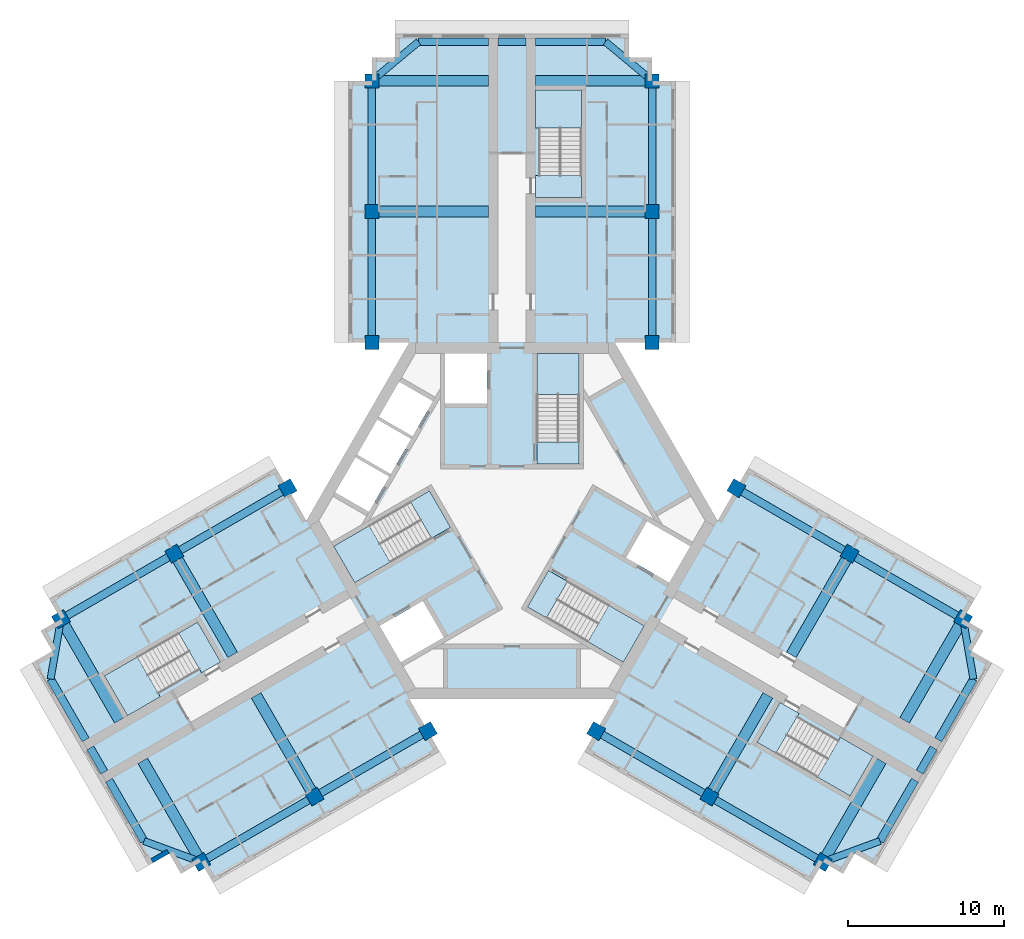
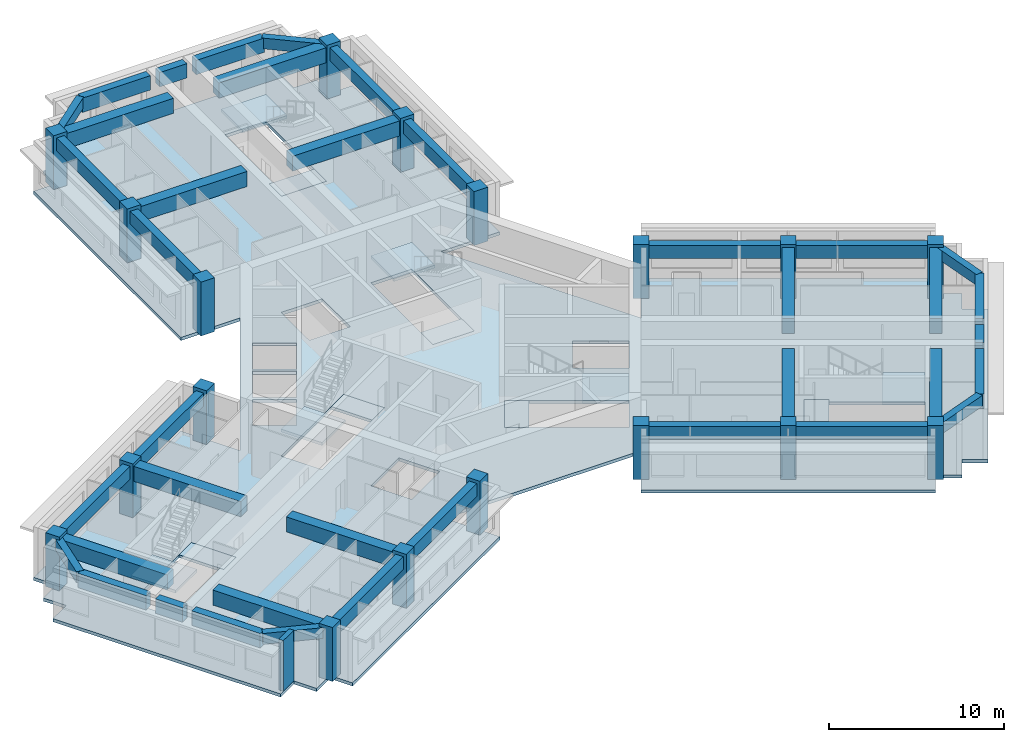
# One storey, part 1 of 10: 39 beams, 18 columns, 13 slabs, 1 wall, 6 elements without a shape of their own.
"""IFC4 building model written with IfcOpenShell, lengths in metres."""

from ifc_helpers import new_model, si_unit, direction, frame, frame_2d, origin, origin_2d, place, context, subcontext, project, spatial, polyline, rectangle, outline, extrude, material, layer, layer_set, material_profile, profile_set, type_object, element, aggregate, save


model = new_model("IFC4")

# Units and contexts
model_context = context("Model", 3, precision=1e-05, world=origin(), true_north=direction((0.0, 1.0)))
body_context = subcontext(model_context, "Body", "Model", "MODEL_VIEW")
ifc_project = project(units=[si_unit("LENGTHUNIT", "METRE"), si_unit("AREAUNIT", "SQUARE_METRE"), si_unit("VOLUMEUNIT", "CUBIC_METRE"), si_unit("PLANEANGLEUNIT", "RADIAN"), si_unit("MASSUNIT", "GRAM", prefix="KILO")], contexts=[model_context])

# Site, building, storey
site_placement = place(None, origin())
site = spatial("IfcSite", under=ifc_project, at=site_placement, CompositionType="ELEMENT")
building_placement = place(site_placement, origin())
building = spatial("IfcBuilding", under=site, at=building_placement, Name="Impinga Residences", CompositionType="ELEMENT")
storey_placement = place(building_placement, frame((0.0, 0.0, 259.75)))
storey = spatial("IfcBuildingStorey", under=building, at=storey_placement, Name="L65", CompositionType="ELEMENT", Elevation=259.75)

# Columns
ifc_material_1 = material(Name="Concrete C60/75", Category="concrete")
ifc_material_profile_1 = material_profile(ifc_material_1, rectangle(XDim=0.89990234375, YDim=0.89990234375, at=origin_2d()), Name="RC 900x900")
ifc_profile_set_1 = profile_set([ifc_material_profile_1], Name="Concrete C60/75")
column_type = type_object("IfcColumnType", Name="C4 900x900 column", PredefinedType="COLUMN", material=ifc_profile_set_1)
for number, where, z_axis, x_axis, name in (
    (1, (-9.0, 11.431640625, 0.0), (0.0, 0.0, 1.0), (1.0, 0.0, 0.0), "Column C4 N1/NA L65"),
    (2, (9.0, 11.431640625, 0.0), (0.0, 0.0, 1.0), (1.0, 0.0, 0.0), "Column C4 N1/NF L65"),
    (3, (-9.0, 19.83154296875, 0.0), (0.0, 0.0, 1.0), (1.0, 0.0, 0.0), "Column C4 N2/NA L65"),
    (4, (9.0, 19.83154296875, 0.0), (0.0, 0.0, 1.0), (1.0, 0.0, 0.0), "Column C4 N2/NF L65"),
    (5, (-9.0, 28.2314453125, 0.0), (0.0, 0.0, 1.0), (1.0, 0.0, 0.0), "Column C4 N3/NA L65"),
    (6, (9.0, 28.2314453125, 0.0), (0.0, 0.0, 1.0), (1.0, 0.0, 0.0), "Column C4 N3/NF L65"),
    (7, (-5.39990234375, -13.510009765625, 0.0), (0.0, 0.0, 1.0), (-0.5, 0.866025403784, 0.0), "Column C4 W1/WA L65"),
    (8, (-14.39990234375, 2.078369140625, 0.0), (0.0, 0.0, 1.0), (-0.5, 0.866025403784, 0.0), "Column C4 W1/WF L65"),
    (9, (-12.674560546875, -17.7099609375, 0.0), (0.0, 0.0, 1.0), (-0.5, 0.866025403784, 0.0), "Column C4 W2/WA L65"),
    (10, (-21.674560546875, -2.12158203125, 0.0), (0.0, 0.0, 1.0), (-0.5, 0.866025403784, 0.0), "Column C4 W2/WF L65"),
    (11, (-19.94921875, -21.909912109375, 0.0), (0.0, 0.0, 1.0), (-0.5, 0.866025403784, 0.0), "Column C4 W3/WA L65"),
    (12, (-28.94921875, -6.321533203125, 0.0), (0.0, 0.0, 1.0), (-0.5, 0.866025403784, 0.0), "Column C4 W3/WF L65"),
    (13, (14.39990234375, 2.078369140625, 0.0), (0.0, 0.0, 1.0), (-0.5, -0.866025403784, 0.0), "Column C4 E1/EA L65"),
    (14, (5.39990234375, -13.510009765625, 0.0), (0.0, 0.0, 1.0), (-0.5, -0.866025403784, 0.0), "Column C4 E1/EF L65"),
    (15, (21.674560546875, -2.12158203125, 0.0), (0.0, 0.0, 1.0), (-0.5, -0.866025403784, 0.0), "Column C4 E2/EA L65"),
    (16, (12.674560546875, -17.7099609375, 0.0), (0.0, 0.0, 1.0), (-0.5, -0.866025403784, 0.0), "Column C4 E2/EF L65"),
    (17, (28.94921875, -6.321533203125, 0.0), (0.0, 0.0, 1.0), (-0.5, -0.866025403784, 0.0), "Column C4 E3/EA L65"),
    (18, (19.94921875, -21.909912109375, 0.0), (0.0, 0.0, 1.0), (-0.5, -0.866025403784, 0.0), "Column C4 E3/EF L65"),
):
    element("IfcColumn", number, at=place(storey_placement, frame(where, z_axis=z_axis, x_axis=x_axis)), inside=storey, type_object=column_type, Name=name, PredefinedType="COLUMN", context=body_context, shape_type="SweptSolid", body=[
        extrude(rectangle(XDim=0.89990234375, YDim=0.89990234375, at=origin_2d()), origin(), (0.0, 0.0, 1.0), 3.75),
    ])

# Beams
ifc_material_profile_2 = material_profile(ifc_material_1, rectangle(XDim=0.449951171875, YDim=0.75, at=origin_2d()), Name="RC 450x750")
ifc_profile_set_2 = profile_set([ifc_material_profile_2], Name="Concrete C60/75")
beam_type_1 = type_object("IfcBeamType", Name="CB1 450x750 wing end cantilever beam", PredefinedType="BEAM", material=ifc_profile_set_2)
for number, where, z_axis, x_axis, name in (
    (19, (-9.0, 28.2314453125, 3.155029296875), (0.768221279597, 0.640184399664, 0.0), (-0.640184399664, 0.768221279597, 0.0), "Beam CB1 NB N3-NX level L66"),
    (20, (9.0, 28.2314453125, 3.155029296875), (-0.768221279597, 0.640184399664, 0.0), (-0.640184399664, -0.768221279597, 0.0), "Beam CB1 NE N3-NX level L66"),
    (21, (-19.94921875, -21.909912109375, 3.155029296875), (-0.93854043338, 0.345169313396, 0.0), (-0.345169313396, -0.93854043338, 0.0), "Beam CB1 WB W3-WX level L66"),
):
    element("IfcBeam", number, at=place(storey_placement, frame(where, z_axis=z_axis, x_axis=x_axis)), inside=storey, type_object=beam_type_1, Name=name, PredefinedType="BEAM", context=body_context, shape_type="SweptSolid", body=[
        extrude(rectangle(XDim=0.449951171875, YDim=0.75, at=origin_2d()), origin(), (0.0, 0.0, 1.0), 3.905029296875),
    ])
for number, where, z_axis, x_axis, name in (
    (22, (-28.94921875, -6.321533203125, 3.155029296875), (-0.170296298948, -0.985392901621, 0.0), (0.985392901621, -0.170296298948, 0.0), "Beam CB1 WE W3-WX level L66"),
    (23, (28.94921875, -6.321533203125, 3.155029296875), (0.170296298948, -0.985392901621, 0.0), (0.985392901621, 0.170296298948, 0.0), "Beam CB1 EB E3-EX level L66"),
):
    element("IfcBeam", number, at=place(storey_placement, frame(where, z_axis=z_axis, x_axis=x_axis)), inside=storey, type_object=beam_type_1, Name=name, PredefinedType="BEAM", context=body_context, shape_type="SweptSolid", body=[
        extrude(rectangle(XDim=0.449951171875, YDim=0.75, at=origin_2d()), origin(), (0.0, 0.0, 1.0), 3.9052734375),
    ])
beam_1_placement = place(storey_placement, frame((19.94921875, -21.909912109375, 3.155029296875), z_axis=(0.93854043338, 0.345169313396, 0.0), x_axis=(-0.345169313396, 0.93854043338, 0.0)))
element("IfcBeam", 24, at=beam_1_placement, inside=storey, type_object=beam_type_1, Name="Beam CB1 EE E3-EX level L66", PredefinedType="BEAM", context=body_context, shape_type="SweptSolid", body=[
    extrude(rectangle(XDim=0.449951171875, YDim=0.75, at=origin_2d()), origin(), (0.0, 0.0, 1.0), 3.905029296875),
])
ifc_material_profile_3 = material_profile(ifc_material_1, rectangle(XDim=0.699951171875, YDim=1.050048828125, at=origin_2d()), Name="RC 700x1050")
ifc_profile_set_3 = profile_set([ifc_material_profile_3], Name="Concrete C60/75")
beam_type_2 = type_object("IfcBeamType", Name="CG1 700x1050 cross girder on a wing bay line", PredefinedType="BEAM", material=ifc_profile_set_3)
for number, where, z_axis, x_axis, name in (
    (25, (-1.5, 19.83154296875, 3.0048828125), (-1.0, 0.0, 0.0), (0.0, -1.0, 0.0), "Beam CG1 N2 NC/NA level L66"),
    (26, (-1.5, 28.2314453125, 3.0048828125), (-1.0, 0.0, 0.0), (0.0, -1.0, 0.0), "Beam CG1 N3 NC/NA level L66"),
    (27, (1.5, 19.83154296875, 3.0048828125), (1.0, 0.0, 0.0), (0.0, 1.0, 0.0), "Beam CG1 N2 NC/NF level L66"),
    (28, (1.5, 28.2314453125, 3.0048828125), (1.0, 0.0, 0.0), (0.0, 1.0, 0.0), "Beam CG1 N3 NC/NF level L66"),
    (29, (-16.424560546875, -11.21484375, 3.0048828125), (0.500004234368, -0.866022959057, 0.0), (0.866022959057, 0.500004234368, 0.0), "Beam CG1 W2 WC/WA level L66"),
    (30, (-23.69921875, -15.414794921875, 3.0048828125), (0.500004234368, -0.866022959057, 0.0), (0.866022959057, 0.500004234368, 0.0), "Beam CG1 W3 WC/WA level L66"),
    (31, (-17.924560546875, -8.61669921875, 3.0048828125), (-0.500004234368, 0.866022959057, 0.0), (-0.866022959057, -0.500004234368, 0.0), "Beam CG1 W2 WC/WF level L66"),
    (32, (-25.19921875, -12.816650390625, 3.0048828125), (-0.500004234368, 0.866022959057, 0.0), (-0.866022959057, -0.500004234368, 0.0), "Beam CG1 W3 WC/WF level L66"),
    (33, (17.924560546875, -8.61669921875, 3.0048828125), (0.500004234368, 0.866022959057, 0.0), (-0.866022959057, 0.500004234368, 0.0), "Beam CG1 E2 EC/EA level L66"),
    (34, (25.19921875, -12.816650390625, 3.0048828125), (0.500004234368, 0.866022959057, 0.0), (-0.866022959057, 0.500004234368, 0.0), "Beam CG1 E3 EC/EA level L66"),
    (35, (16.424560546875, -11.21484375, 3.0048828125), (-0.500004234368, -0.866022959057, 0.0), (0.866022959057, -0.500004234368, 0.0), "Beam CG1 E2 EC/EF level L66"),
    (36, (23.69921875, -15.414794921875, 3.0048828125), (-0.500004234368, -0.866022959057, 0.0), (0.866022959057, -0.500004234368, 0.0), "Beam CG1 E3 EC/EF level L66"),
):
    element("IfcBeam", number, at=place(storey_placement, frame(where, z_axis=z_axis, x_axis=x_axis)), inside=storey, type_object=beam_type_2, Name=name, PredefinedType="BEAM", context=body_context, shape_type="SweptSolid", body=[
        extrude(rectangle(XDim=0.699951171875, YDim=1.050048828125, at=origin_2d()), origin(), (0.0, 0.0, 1.0), 7.5),
    ])
ifc_material_profile_4 = material_profile(ifc_material_1, rectangle(XDim=0.5, YDim=1.0, at=origin_2d()), Name="RC 500x1000")
ifc_profile_set_4 = profile_set([ifc_material_profile_4], Name="Concrete C60/75")
beam_type_3 = type_object("IfcBeamType", Name="EB1 500x1000 wing end beam", PredefinedType="BEAM", material=ifc_profile_set_4)
beam_2_placement = place(storey_placement, frame((-6.0, 30.7314453125, 3.030029296875), z_axis=(1.0, 0.0, 0.0), x_axis=(0.0, 1.0, 0.0)))
element("IfcBeam", 37, at=beam_2_placement, inside=storey, type_object=beam_type_3, Name="Beam EB1 NX2 level L66", PredefinedType="BEAM", context=body_context, shape_type="SweptSolid", body=[
    extrude(rectangle(XDim=0.5, YDim=1.0, at=origin_2d()), origin(), (0.0, 0.0, 1.0), 4.5),
])
beam_3_placement = place(storey_placement, frame((-0.89990234375, 30.7314453125, 3.030029296875), z_axis=(1.0, 0.0, 0.0), x_axis=(0.0, 1.0, 0.0)))
element("IfcBeam", 38, at=beam_3_placement, inside=storey, type_object=beam_type_3, Name="Beam EB1 NX2 level L66", PredefinedType="BEAM", context=body_context, shape_type="SweptSolid", body=[
    extrude(rectangle(XDim=0.5, YDim=1.0, at=origin_2d()), origin(), (0.0, 0.0, 1.0), 1.7998046875),
])
for number, where, z_axis, x_axis, name in (
    (39, (1.5, 30.7314453125, 3.030029296875), (1.0, 0.0, 0.0), (0.0, 1.0, 0.0), "Beam EB1 NX2 level L66"),
    (40, (-23.6142578125, -20.56201171875, 3.030029296875), (-0.499990139034, 0.866031096941, 0.0), (-0.866031096941, -0.499990139034, 0.0), "Beam EB1 WX2 level L66"),
):
    element("IfcBeam", number, at=place(storey_placement, frame(where, z_axis=z_axis, x_axis=x_axis)), inside=storey, type_object=beam_type_3, Name=name, PredefinedType="BEAM", context=body_context, shape_type="SweptSolid", body=[
        extrude(rectangle(XDim=0.5, YDim=1.0, at=origin_2d()), origin(), (0.0, 0.0, 1.0), 4.5),
    ])
beam_4_placement = place(storey_placement, frame((-26.164306640625, -16.145263671875, 3.030029296875), z_axis=(-0.499961193289, 0.866047807691, 0.0), x_axis=(-0.866047807691, -0.499961193289, 0.0)))
element("IfcBeam", 41, at=beam_4_placement, inside=storey, type_object=beam_type_3, Name="Beam EB1 WX2 level L66", PredefinedType="BEAM", context=body_context, shape_type="SweptSolid", body=[
    extrude(rectangle(XDim=0.5, YDim=1.0, at=origin_2d()), origin(), (0.0, 0.0, 1.0), 1.800048828125),
])
for number, where, z_axis, x_axis, name in (
    (42, (-27.3642578125, -14.066650390625, 3.030029296875), (-0.500013631625, 0.866017533419, 0.0), (-0.866017533419, -0.500013631625, 0.0), "Beam EB1 WX2 level L66"),
    (43, (29.6142578125, -10.169677734375, 3.030029296875), (-0.500013631625, -0.866017533419, 0.0), (0.866017533419, -0.500013631625, 0.0), "Beam EB1 EX2 level L66"),
):
    element("IfcBeam", number, at=place(storey_placement, frame(where, z_axis=z_axis, x_axis=x_axis)), inside=storey, type_object=beam_type_3, Name=name, PredefinedType="BEAM", context=body_context, shape_type="SweptSolid", body=[
        extrude(rectangle(XDim=0.5, YDim=1.0, at=origin_2d()), origin(), (0.0, 0.0, 1.0), 4.499755859375),
    ])
beam_5_placement = place(storey_placement, frame((27.064208984375, -14.58642578125, 3.030029296875), z_axis=(-0.499961193289, -0.866047807691, 0.0), x_axis=(0.866047807691, -0.499961193289, 0.0)))
element("IfcBeam", 44, at=beam_5_placement, inside=storey, type_object=beam_type_3, Name="Beam EB1 EX2 level L66", PredefinedType="BEAM", context=body_context, shape_type="SweptSolid", body=[
    extrude(rectangle(XDim=0.5, YDim=1.0, at=origin_2d()), origin(), (0.0, 0.0, 1.0), 1.800048828125),
])
beam_6_placement = place(storey_placement, frame((25.8642578125, -16.664794921875, 3.030029296875), z_axis=(-0.499990139034, -0.866031096941, 0.0), x_axis=(0.866031096941, -0.499990139034, 0.0)))
element("IfcBeam", 45, at=beam_6_placement, inside=storey, type_object=beam_type_3, Name="Beam EB1 EX2 level L66", PredefinedType="BEAM", context=body_context, shape_type="SweptSolid", body=[
    extrude(rectangle(XDim=0.5, YDim=1.0, at=origin_2d()), origin(), (0.0, 0.0, 1.0), 4.5),
])
ifc_material_profile_5 = material_profile(ifc_material_1, rectangle(XDim=0.5, YDim=0.89990234375, at=origin_2d()), Name="RC 500x900")
ifc_profile_set_5 = profile_set([ifc_material_profile_5], Name="Concrete C60/75")
beam_type_4 = type_object("IfcBeamType", Name="SB1 500x900 perimeter spandrel beam", PredefinedType="SPANDREL", material=ifc_profile_set_5)
for number, where, z_axis, x_axis, name in (
    (46, (-9.0, 11.431640625, 3.080078125), (0.0, 1.0, 0.0), (-1.0, 0.0, 0.0), "Beam SB1 NA N1-N2 level L66"),
    (47, (-9.0, 19.83154296875, 3.080078125), (0.0, 1.0, 0.0), (-1.0, 0.0, 0.0), "Beam SB1 NA N2-N3 level L66"),
    (48, (9.0, 11.431640625, 3.080078125), (0.0, 1.0, 0.0), (-1.0, 0.0, 0.0), "Beam SB1 NF N1-N2 level L66"),
    (49, (9.0, 19.83154296875, 3.080078125), (0.0, 1.0, 0.0), (-1.0, 0.0, 0.0), "Beam SB1 NF N2-N3 level L66"),
    (50, (-5.39990234375, -13.510009765625, 3.080078125), (-0.86602925447, -0.499993330357, 0.0), (0.499993330357, -0.86602925447, 0.0), "Beam SB1 WA W1-W2 level L66"),
    (51, (-12.674560546875, -17.7099609375, 3.080078125), (-0.86602925447, -0.499993330357, 0.0), (0.499993330357, -0.86602925447, 0.0), "Beam SB1 WA W2-W3 level L66"),
    (52, (-14.39990234375, 2.078369140625, 3.080078125), (-0.86602925447, -0.499993330357, 0.0), (0.499993330357, -0.86602925447, 0.0), "Beam SB1 WF W1-W2 level L66"),
    (53, (-21.674560546875, -2.12158203125, 3.080078125), (-0.86602925447, -0.499993330357, 0.0), (0.499993330357, -0.86602925447, 0.0), "Beam SB1 WF W2-W3 level L66"),
    (54, (14.39990234375, 2.078369140625, 3.080078125), (0.86602925447, -0.499993330357, 0.0), (0.499993330357, 0.86602925447, 0.0), "Beam SB1 EA E1-E2 level L66"),
    (55, (21.674560546875, -2.12158203125, 3.080078125), (0.86602925447, -0.499993330357, 0.0), (0.499993330357, 0.86602925447, 0.0), "Beam SB1 EA E2-E3 level L66"),
    (56, (5.39990234375, -13.510009765625, 3.080078125), (0.86602925447, -0.499993330357, 0.0), (0.499993330357, 0.86602925447, 0.0), "Beam SB1 EF E1-E2 level L66"),
    (57, (12.674560546875, -17.7099609375, 3.080078125), (0.86602925447, -0.499993330357, 0.0), (0.499993330357, 0.86602925447, 0.0), "Beam SB1 EF E2-E3 level L66"),
):
    element("IfcBeam", number, at=place(storey_placement, frame(where, z_axis=z_axis, x_axis=x_axis)), inside=storey, type_object=beam_type_4, Name=name, PredefinedType="SPANDREL", context=body_context, shape_type="SweptSolid", body=[
        extrude(rectangle(XDim=0.5, YDim=0.89990234375, at=origin_2d()), origin(), (0.0, 0.0, 1.0), 8.39990234375),
    ])

# Slab
ifc_layer_1 = layer(ifc_material_1, 0.219970703125)
ifc_layer_set_1 = layer_set([ifc_layer_1], Name="Concrete C60/75")
slab_type_1 = type_object("IfcSlabType", Name="FS1 tower floor slab 220", PredefinedType="FLOOR", material=ifc_layer_set_1)
slab_1_placement = place(storey_placement, frame((0.0, 0.0, -0.219970703125)))
element("IfcSlab", 58, at=slab_1_placement, inside=storey, type_object=slab_type_1, Name="Floor slab FS1 L65", PredefinedType="FLOOR", context=body_context, shape_type="SweptSolid", body=[
    extrude(outline(polyline([(-19.94921875, -21.909912109375), (-21.248291015625, -22.659912109375), (-21.998291015625, -21.36083984375), (-23.29736328125, -22.11083984375), (-30.79736328125, -9.12060546875), (-29.498291015625, -8.37060546875), (-30.248291015625, -7.071533203125), (-28.94921875, -6.321533203125), (-29.69921875, -5.0224609375), (-15.14990234375, 3.37744140625), (-13.199951171875, 0.0), (-6.60009765625, 11.431640625), (-10.5, 11.431640625), (-10.5, 28.2314453125), (-9.0, 28.2314453125), (-9.0, 29.7314453125), (-7.5, 29.7314453125), (-7.5, 31.2314453125), (7.5, 31.2314453125), (7.5, 29.7314453125), (9.0, 29.7314453125), (9.0, 28.2314453125), (10.5, 28.2314453125), (10.5, 11.431640625), (6.60009765625, 11.431640625), (13.199951171875, 0.0), (15.14990234375, 3.37744140625), (29.69921875, -5.0224609375), (28.94921875, -6.321533203125), (30.248291015625, -7.071533203125), (29.498291015625, -8.37060546875), (30.79736328125, -9.12060546875), (23.29736328125, -22.11083984375), (21.998291015625, -21.36083984375), (21.248291015625, -22.659912109375), (19.94921875, -21.909912109375), (19.19921875, -23.208984375), (4.64990234375, -14.80908203125), (9.900146484375, -5.7158203125), (6.60009765625, -11.431640625), (-6.60009765625, -11.431640625), (-9.900146484375, -5.7158203125), (-4.64990234375, -14.80908203125), (-19.19921875, -23.208984375), (-19.94921875, -21.909912109375)]), holes=[polyline([(-18.7041015625, -9.066650390625), (-18.8291015625, -8.850341796875), (-18.8291015625, -8.850341796875), (-20.178955078125, -6.511962890625), (-21.391357421875, -7.2119140625), (-21.391357421875, -7.2119140625), (-26.154541015625, -9.9619140625), (-24.8046875, -12.30029296875), (-20.04150390625, -9.55029296875), (-19.91650390625, -9.766845703125), (-18.7041015625, -9.066650390625)]), polyline([(-5.72119140625, -5.150634765625), (-8.493896484375, -6.75146484375), (-7.143798828125, -9.089599609375), (-4.37109375, -7.489013671875), (-5.72119140625, -5.150634765625)]), polyline([(-5.293701171875, 1.908935546875), (-11.44384765625, -1.641845703125), (-10.09375, -3.980224609375), (-3.943603515625, -0.429443359375), (-5.293701171875, 1.908935546875)]), polyline([(-7.878662109375, 2.816650390625), (-10.043701171875, 4.066650390625), (-11.34375, 1.81494140625), (-9.1787109375, 0.56494140625), (-7.878662109375, 2.816650390625)]), polyline([(-6.478759765625, 5.24169921875), (-8.643798828125, 6.49169921875), (-9.94384765625, 4.239990234375), (-7.77880859375, 2.989990234375), (-6.478759765625, 5.24169921875)]), polyline([(-6.378662109375, 5.414794921875), (-5.07861328125, 7.66650390625), (-7.243896484375, 8.91650390625), (-8.543701171875, 6.664794921875), (-6.378662109375, 5.414794921875)]), polyline([(-4.300048828125, 7.530029296875), (-1.60009765625, 7.530029296875), (-1.60009765625, 10.7314453125), (-4.300048828125, 10.7314453125), (-4.300048828125, 7.530029296875)]), polyline([(15.72900390625, -14.219482421875), (21.70458984375, -17.669677734375), (23.0546875, -15.331298828125), (18.29150390625, -12.581298828125), (18.41650390625, -12.36474609375), (17.2041015625, -11.664794921875), (15.72900390625, -14.219482421875)]), polyline([(0.99365234375, -5.538818359375), (7.143798828125, -9.089599609375), (8.493896484375, -6.75146484375), (2.34375, -3.20068359375), (0.99365234375, -5.538818359375)]), polyline([(7.3212890625, -2.37939453125), (10.09375, -3.980224609375), (11.44384765625, -1.641845703125), (8.671142578125, -0.041015625), (7.3212890625, -2.37939453125)]), polyline([(4.300048828125, 3.6298828125), (4.300048828125, 10.7314453125), (1.60009765625, 10.7314453125), (1.60009765625, 3.6298828125), (4.300048828125, 3.6298828125)]), polyline([(1.75, 22.131591796875), (1.5, 22.131591796875), (1.5, 20.7314453125), (1.75, 20.7314453125), (4.449951171875, 20.7314453125), (4.449951171875, 22.131591796875), (4.449951171875, 27.631591796875), (1.75, 27.631591796875), (1.75, 22.131591796875)])]), origin(), (0.0, 0.0, 1.0), 0.219970703125),
])

# Stair, slabs
ifc_material_2 = material(Name="Concrete C40/50", Category="concrete")
stair_type_1 = type_object("IfcStairType", Name="STR core stair 3750 storey, 24 risers", PredefinedType="HALF_TURN_STAIR", material=ifc_material_2)
stair_1_placement = place(storey_placement, origin())
stair_1 = element("IfcStair", 59, at=stair_1_placement, inside=storey, type_object=stair_type_1, Name="Stair ST1 L65", PredefinedType="HALF_TURN_STAIR")
ifc_layer_2 = layer(ifc_material_2, 0.199951171875)
ifc_layer_set_2 = layer_set([ifc_layer_2], Name="Concrete C40/50")
slab_type_2 = type_object("IfcSlabType", Name="LS1 stair landing 200", PredefinedType="LANDING", material=ifc_layer_set_2)
slab_2_placement = place(storey_placement, frame((0.0, 0.0, -0.199951171875)))
slab_2 = element("IfcSlab", 60, at=slab_2_placement, type_object=slab_type_2, Name="ST1 landing 1", PredefinedType="LANDING", context=body_context, shape_type="SweptSolid", body=[
    extrude(outline(polyline([(1.60009765625, 3.6298828125), (4.300048828125, 3.6298828125), (4.300048828125, 5.0400390625), (1.60009765625, 5.0400390625), (1.60009765625, 3.6298828125)])), origin(), (0.0, 0.0, 1.0), 0.199951171875),
])
slab_3_placement = place(storey_placement, frame((0.0, 0.0, 1.675048828125)))
slab_3 = element("IfcSlab", 61, at=slab_3_placement, type_object=slab_type_2, Name="ST1 landing 2", PredefinedType="LANDING", context=body_context, shape_type="SweptSolid", body=[
    extrude(outline(polyline([(1.60009765625, 8.10009765625), (4.300048828125, 8.10009765625), (4.300048828125, 10.7314453125), (1.60009765625, 10.7314453125), (1.60009765625, 8.10009765625)])), origin(), (0.0, 0.0, 1.0), 0.199951171875),
])
aggregate(stair_1, [slab_2, slab_3])

stair_2_placement = place(storey_placement, origin())
stair_2 = element("IfcStair", 62, at=stair_2_placement, inside=storey, type_object=stair_type_1, Name="Stair ST2 L65", PredefinedType="HALF_TURN_STAIR")
slab_4_placement = place(storey_placement, frame((0.0, 0.0, -0.199951171875)))
slab_4 = element("IfcSlab", 63, at=slab_4_placement, type_object=slab_type_2, Name="ST2 landing 1", PredefinedType="LANDING", context=body_context, shape_type="SweptSolid", body=[
    extrude(outline(polyline([(-3.943603515625, -0.429443359375), (-5.293701171875, 1.908935546875), (-6.5146484375, 1.203857421875), (-5.164794921875, -1.13427734375), (-3.943603515625, -0.429443359375)])), origin(), (0.0, 0.0, 1.0), 0.199951171875),
])
slab_5_placement = place(storey_placement, frame((0.0, 0.0, 1.675048828125)))
slab_5 = element("IfcSlab", 64, at=slab_5_placement, type_object=slab_type_2, Name="ST2 landing 2", PredefinedType="LANDING", context=body_context, shape_type="SweptSolid", body=[
    extrude(outline(polyline([(-7.814697265625, -2.664306640625), (-9.164794921875, -0.326171875), (-11.44384765625, -1.641845703125), (-10.09375, -3.980224609375), (-7.814697265625, -2.664306640625)])), origin(), (0.0, 0.0, 1.0), 0.199951171875),
])
aggregate(stair_2, [slab_4, slab_5])

stair_3_placement = place(storey_placement, origin())
stair_3 = element("IfcStair", 65, at=stair_3_placement, inside=storey, type_object=stair_type_1, Name="Stair ST3 L65", PredefinedType="HALF_TURN_STAIR")
slab_6_placement = place(storey_placement, frame((0.0, 0.0, -0.199951171875)))
slab_6 = element("IfcSlab", 66, at=slab_6_placement, type_object=slab_type_2, Name="ST3 landing 1", PredefinedType="LANDING", context=body_context, shape_type="SweptSolid", body=[
    extrude(outline(polyline([(2.34375, -3.20068359375), (0.99365234375, -5.538818359375), (2.21484375, -6.243896484375), (3.564697265625, -3.90576171875), (2.34375, -3.20068359375)])), origin(), (0.0, 0.0, 1.0), 0.199951171875),
])
slab_7_placement = place(storey_placement, frame((0.0, 0.0, 1.675048828125)))
slab_7 = element("IfcSlab", 67, at=slab_7_placement, type_object=slab_type_2, Name="ST3 landing 2", PredefinedType="LANDING", context=body_context, shape_type="SweptSolid", body=[
    extrude(outline(polyline([(6.21484375, -5.435546875), (4.86474609375, -7.77392578125), (7.143798828125, -9.089599609375), (8.493896484375, -6.75146484375), (6.21484375, -5.435546875)])), origin(), (0.0, 0.0, 1.0), 0.199951171875),
])
aggregate(stair_3, [slab_6, slab_7])

stair_type_2 = type_object("IfcStairType", Name="STR wing stair 3750 storey, 24 risers", PredefinedType="HALF_TURN_STAIR", material=ifc_material_2)
stair_4_placement = place(storey_placement, origin())
stair_4 = element("IfcStair", 68, at=stair_4_placement, inside=storey, type_object=stair_type_2, Name="Stair WS1 L65", PredefinedType="HALF_TURN_STAIR")
slab_8_placement = place(storey_placement, frame((0.0, 0.0, -0.199951171875)))
slab_8 = element("IfcSlab", 69, at=slab_8_placement, type_object=slab_type_2, Name="WS1 landing 1", PredefinedType="LANDING", context=body_context, shape_type="SweptSolid", body=[
    extrude(outline(polyline([(1.5, 20.7314453125), (4.449951171875, 20.7314453125), (4.449951171875, 22.1416015625), (1.5, 22.1416015625), (1.5, 20.7314453125)])), origin(), (0.0, 0.0, 1.0), 0.199951171875),
])
slab_9_placement = place(storey_placement, frame((0.0, 0.0, 1.675048828125)))
slab_9 = element("IfcSlab", 70, at=slab_9_placement, type_object=slab_type_2, Name="WS1 landing 2", PredefinedType="LANDING", context=body_context, shape_type="SweptSolid", body=[
    extrude(outline(polyline([(1.5, 25.201416015625), (4.449951171875, 25.201416015625), (4.449951171875, 27.631591796875), (1.5, 27.631591796875), (1.5, 25.201416015625)])), origin(), (0.0, 0.0, 1.0), 0.199951171875),
])
aggregate(stair_4, [slab_8, slab_9])

stair_5_placement = place(storey_placement, origin())
stair_5 = element("IfcStair", 71, at=stair_5_placement, inside=storey, type_object=stair_type_2, Name="Stair WS2 L65", PredefinedType="HALF_TURN_STAIR")
slab_10_placement = place(storey_placement, frame((0.0, 0.0, -0.199951171875)))
slab_10 = element("IfcSlab", 72, at=slab_10_placement, type_object=slab_type_2, Name="WS2 landing 1", PredefinedType="LANDING", context=body_context, shape_type="SweptSolid", body=[
    extrude(outline(polyline([(-18.7041015625, -9.066650390625), (-20.178955078125, -6.511962890625), (-21.400146484375, -7.217041015625), (-19.925048828125, -9.771728515625), (-18.7041015625, -9.066650390625)])), origin(), (0.0, 0.0, 1.0), 0.199951171875),
])
slab_11_placement = place(storey_placement, frame((0.0, 0.0, 1.675048828125)))
slab_11 = element("IfcSlab", 73, at=slab_11_placement, type_object=slab_type_2, Name="WS2 landing 2", PredefinedType="LANDING", context=body_context, shape_type="SweptSolid", body=[
    extrude(outline(polyline([(-22.5751953125, -11.3017578125), (-24.050048828125, -8.7470703125), (-26.154541015625, -9.9619140625), (-24.6796875, -12.516845703125), (-22.5751953125, -11.3017578125)])), origin(), (0.0, 0.0, 1.0), 0.199951171875),
])
aggregate(stair_5, [slab_10, slab_11])

stair_6_placement = place(storey_placement, origin())
stair_6 = element("IfcStair", 74, at=stair_6_placement, inside=storey, type_object=stair_type_2, Name="Stair WS3 L65", PredefinedType="HALF_TURN_STAIR")
slab_12_placement = place(storey_placement, frame((0.0, 0.0, -0.199951171875)))
slab_12 = element("IfcSlab", 75, at=slab_12_placement, type_object=slab_type_2, Name="WS3 landing 1", PredefinedType="LANDING", context=body_context, shape_type="SweptSolid", body=[
    extrude(outline(polyline([(17.2041015625, -11.664794921875), (15.72900390625, -14.219482421875), (16.9501953125, -14.924560546875), (18.425048828125, -12.369873046875), (17.2041015625, -11.664794921875)])), origin(), (0.0, 0.0, 1.0), 0.199951171875),
])
slab_13_placement = place(storey_placement, frame((0.0, 0.0, 1.675048828125)))
slab_13 = element("IfcSlab", 76, at=slab_13_placement, type_object=slab_type_2, Name="WS3 landing 2", PredefinedType="LANDING", context=body_context, shape_type="SweptSolid", body=[
    extrude(outline(polyline([(21.0751953125, -13.89990234375), (19.60009765625, -16.45458984375), (21.70458984375, -17.669677734375), (23.1796875, -15.11474609375), (21.0751953125, -13.89990234375)])), origin(), (0.0, 0.0, 1.0), 0.199951171875),
])
aggregate(stair_6, [slab_12, slab_13])

# Wall
ifc_material_3 = material(Name="Terracotta rainscreen on blockwork", Category="masonry")
ifc_layer_3 = layer(ifc_material_3, 0.300048828125)
ifc_layer_set_3 = layer_set([ifc_layer_3], Name="EW1 external wall, terracotta rainscreen on blockwork 300")
wall_type = type_object("IfcWallType", Name="EW1 external wall, terracotta rainscreen on blockwork 300", PredefinedType="SOLIDWALL", material=ifc_layer_set_3)
wall_placement = place(storey_placement, frame((-22.07763671875, -21.233642578125, 0.0), z_axis=(0.0, 0.0, 1.0), x_axis=(-0.866059708757, -0.499940577336, 0.0)))
element("IfcWall", 77, at=wall_placement, inside=storey, type_object=wall_type, Name="External wall EW1 L65", PredefinedType="SOLIDWALL", context=body_context, shape_type="SweptSolid", body=[
    extrude(rectangle(XDim=1.195068359375, YDim=0.300048828125, at=frame_2d((0.59765625, 0.0))), origin(), (0.0, 0.0, 1.0), 3.530029296875),
])

save(model, "model.ifc")
